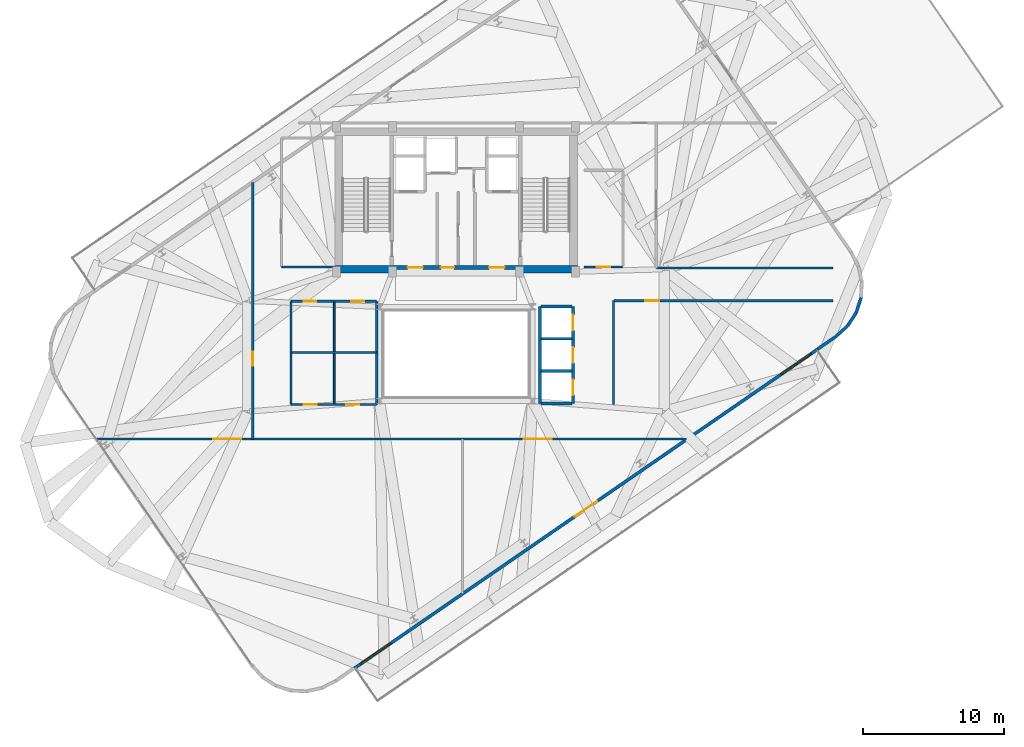
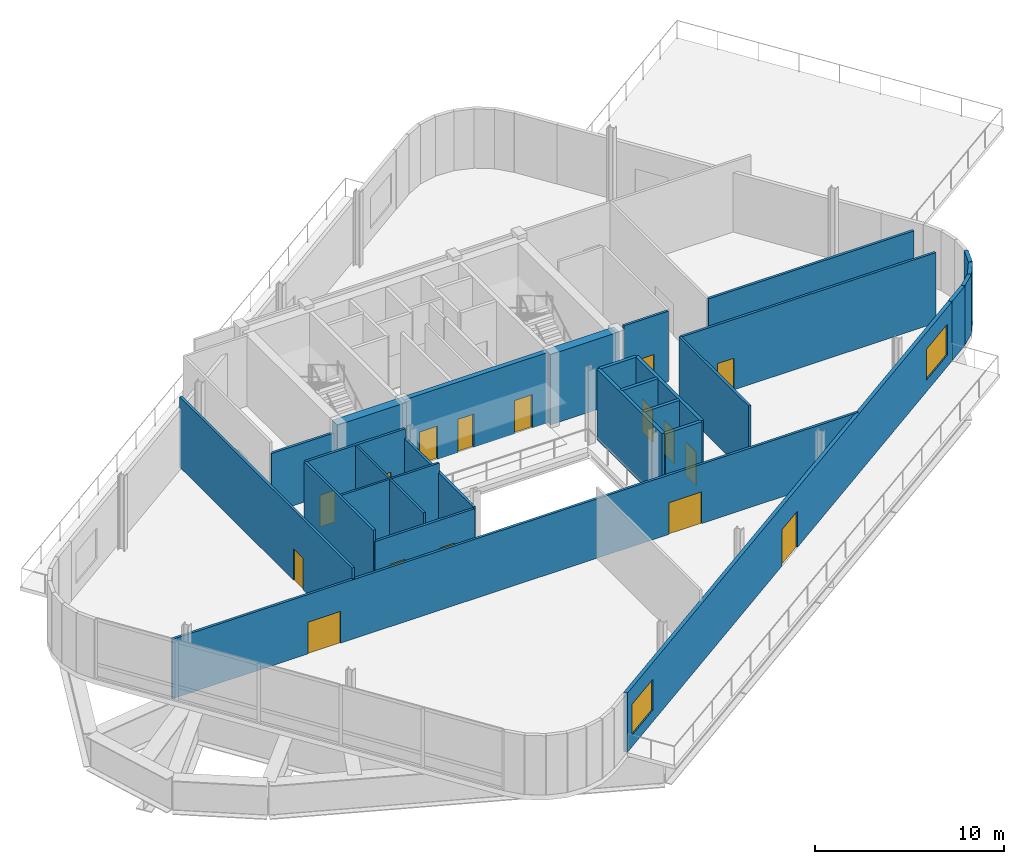
# One storey, part 11 of 18: 27 walls, 16 doors, 2 windows, 18 openings.
"""IFC4 building model written with IfcOpenShell, lengths in metres."""

from ifc_helpers import new_model, si_unit, direction, frame, frame_2d, origin, place, context, subcontext, project, spatial, rectangle, extrude, material, layer, layer_set, type_object, element, fill, save


model = new_model("IFC4")

# Units and contexts
model_context = context("Model", 3, precision=1e-05, world=origin(), true_north=direction((0.0, 1.0)))
body_context = subcontext(model_context, "Body", "Model", "MODEL_VIEW")
ifc_project = project(units=[si_unit("LENGTHUNIT", "METRE"), si_unit("AREAUNIT", "SQUARE_METRE"), si_unit("VOLUMEUNIT", "CUBIC_METRE"), si_unit("PLANEANGLEUNIT", "RADIAN"), si_unit("MASSUNIT", "GRAM", prefix="KILO")], contexts=[model_context])

# Site, building, storey
site_placement = place(None, origin())
site = spatial("IfcSite", under=ifc_project, at=site_placement, CompositionType="ELEMENT")
building_placement = place(site_placement, origin())
building = spatial("IfcBuilding", under=site, at=building_placement, Name="Varnelok Gate Tower", CompositionType="ELEMENT")
storey_placement = place(building_placement, frame((0.0, 0.0, 296.300048828125)))
storey = spatial("IfcBuildingStorey", under=building, at=storey_placement, Name="L76", CompositionType="ELEMENT", Elevation=296.300048828125)

# Wall, openings, door, windows
ifc_material_1 = material(Name="Concrete C45/55", Category="concrete")
ifc_layer_1 = layer(ifc_material_1, 0.219970703125)
ifc_layer_set_1 = layer_set([ifc_layer_1], Name="Concrete C45/55")
wall_type_1 = type_object("IfcWallType", Name="EW-BALC-220", PredefinedType="SOLIDWALL", material=ifc_layer_set_1)
wall_1_placement = place(storey_placement, frame((64.91162109375, 23.22998046875, 0.0), z_axis=(0.0, 0.0, 1.0), x_axis=(-0.823534403617, -0.567266327275, 0.0)))
wall_1 = element("IfcWall", 1, at=wall_1_placement, inside=storey, type_object=wall_type_1, Name="L76 South Terrace Envelope Wall 1", PredefinedType="SOLIDWALL", context=body_context, shape_type="SweptSolid", body=[
    extrude(rectangle(XDim=40.0, YDim=0.219970703125, at=frame_2d((20.0, 0.0))), origin(), (0.0, 0.0, 1.0), 3.829833984375),
])
opening_1_placement = place(wall_1_placement, frame((19.02490234375, 0.0, 0.0)))
opening_1 = element("IfcOpeningElement", 2, at=opening_1_placement, cuts=wall_1, Name="Opening LKD-1", PredefinedType="OPENING", context=body_context, shape_type="SweptSolid", body=[
    extrude(rectangle(XDim=1.949951171875, YDim=2.35009765625, at=frame_2d((0.97509765625, 1.175048828125))), frame((0.0, 0.119873046875, 0.0), z_axis=(0.0, -1.0, 0.0), x_axis=(1.0, 0.0, 0.0)), (0.0, 0.0, 1.0), 0.239990234375),
])
opening_2_placement = place(wall_1_placement, frame((0.550048828125, 0.0, 0.75)))
opening_2 = element("IfcOpeningElement", 3, at=opening_2_placement, cuts=wall_1, Name="Opening WN7", PredefinedType="OPENING", context=body_context, shape_type="SweptSolid", body=[
    extrude(rectangle(XDim=2.60009765625, YDim=2.0, at=frame_2d((1.300048828125, 1.0))), frame((0.0, 0.119873046875, 0.0), z_axis=(0.0, -1.0, 0.0), x_axis=(1.0, 0.0, 0.0)), (0.0, 0.0, 1.0), 0.239990234375),
])
opening_3_placement = place(wall_1_placement, frame((36.85009765625, 0.0, 0.75)))
opening_3 = element("IfcOpeningElement", 4, at=opening_3_placement, cuts=wall_1, Name="Opening WN7", PredefinedType="OPENING", context=body_context, shape_type="SweptSolid", body=[
    extrude(rectangle(XDim=2.60009765625, YDim=2.0, at=frame_2d((1.300048828125, 1.0))), frame((0.0, 0.119873046875, 0.0), z_axis=(0.0, -1.0, 0.0), x_axis=(1.0, 0.0, 0.0)), (0.0, 0.0, 1.0), 0.239990234375),
])
ifc_material_2 = material(Name="Anodized Aluminum Alloy 6063-T6", Category="aluminium")
door_type_1 = type_object("IfcDoorType", Name="DR-EXT-LOOK1950", OperationType="DOUBLE_DOOR_SINGLE_SWING", PredefinedType="DOOR", material=ifc_material_2)
door_1_placement = place(opening_1_placement, origin())
door_1 = element("IfcDoor", 5, at=door_1_placement, inside=storey, type_object=door_type_1, Name="L76 South Lookout Glazed Door 1", OperationType="DOUBLE_DOOR_SINGLE_SWING", OverallHeight=2.35009765625, OverallWidth=1.949951171875, PredefinedType="DOOR", context=body_context, shape_type="SweptSolid", body=[
    extrude(rectangle(XDim=1.949951171875, YDim=2.35009765625, at=frame_2d((0.97509765625, 1.175048828125))), frame((0.0, 0.02490234375, 0.0), z_axis=(0.0, -1.0, 0.0), x_axis=(1.0, 0.0, 0.0)), (0.0, 0.0, 1.0), 0.050048828125),
])
fill(opening_1, door_1)
ifc_material_3 = material(Name="Low-E Laminated Double Glazing IGU", Category="glass")
window_type = type_object("IfcWindowType", Name="WN-OBS-2600", PartitioningType="SINGLE_PANEL", PredefinedType="WINDOW", material=ifc_material_3)
window_1_placement = place(opening_2_placement, origin())
window_1 = element("IfcWindow", 6, at=window_1_placement, inside=storey, type_object=window_type, Name="L76 South Vision Window 1.1", OverallHeight=2.0, OverallWidth=2.60009765625, PartitioningType="SINGLE_PANEL", PredefinedType="WINDOW", context=body_context, shape_type="SweptSolid", body=[
    extrude(rectangle(XDim=2.60009765625, YDim=2.0, at=frame_2d((1.300048828125, 1.0))), frame((0.0, 0.030029296875, 0.0), z_axis=(0.0, -1.0, 0.0), x_axis=(1.0, 0.0, 0.0)), (0.0, 0.0, 1.0), 0.06005859375),
])
fill(opening_2, window_1)
window_2_placement = place(opening_3_placement, origin())
window_2 = element("IfcWindow", 7, at=window_2_placement, inside=storey, type_object=window_type, Name="L76 South Vision Window 1.2", OverallHeight=2.0, OverallWidth=2.60009765625, PartitioningType="SINGLE_PANEL", PredefinedType="WINDOW", context=body_context, shape_type="SweptSolid", body=[
    extrude(rectangle(XDim=2.60009765625, YDim=2.0, at=frame_2d((1.300048828125, 1.0))), frame((0.0, 0.030029296875, 0.0), z_axis=(0.0, -1.0, 0.0), x_axis=(1.0, 0.0, 0.0)), (0.0, 0.0, 1.0), 0.06005859375),
])
fill(opening_3, window_2)

# Walls
wall_2_placement = place(storey_placement, frame((64.90576171875, 23.23828125, 0.0), z_axis=(0.0, 0.0, 1.0), x_axis=(0.823509192795, 0.567302925589, 0.0)))
element("IfcWall", 8, at=wall_2_placement, inside=storey, type_object=wall_type_1, Name="L76 Perimeter Facade Closure Wall 8", PredefinedType="SOLIDWALL", context=body_context, shape_type="SweptSolid", body=[
    extrude(rectangle(XDim=1.59228515625, YDim=0.219970703125, at=frame_2d((0.796142578125, 0.0))), origin(), (0.0, 0.0, 1.0), 3.829833984375),
])
wall_3_placement = place(storey_placement, frame((66.235595703125, 24.158203125, 0.0), z_axis=(0.0, 0.0, 1.0), x_axis=(0.742465815116, 0.669883955163, 0.0)))
element("IfcWall", 9, at=wall_3_placement, inside=storey, type_object=wall_type_1, Name="L76 Perimeter Facade Closure Wall 9", PredefinedType="SOLIDWALL", context=body_context, shape_type="SweptSolid", body=[
    extrude(rectangle(XDim=1.099853515625, YDim=0.219970703125, at=frame_2d((0.5498046875, 0.0))), origin(), (0.0, 0.0, 1.0), 3.829833984375),
])
wall_4_placement = place(storey_placement, frame((67.06591796875, 24.916015625, 0.0), z_axis=(0.0, 0.0, 1.0), x_axis=(0.543714687717, 0.839270122405, 0.0)))
element("IfcWall", 10, at=wall_4_placement, inside=storey, type_object=wall_type_1, Name="L76 Perimeter Facade Closure Wall 10", PredefinedType="SOLIDWALL", context=body_context, shape_type="SweptSolid", body=[
    extrude(rectangle(XDim=1.092041015625, YDim=0.219970703125, at=frame_2d((0.5458984375, 0.0))), origin(), (0.0, 0.0, 1.0), 3.829833984375),
])
wall_5_placement = place(storey_placement, frame((67.667236328125, 25.856201171875, 0.0), z_axis=(0.0, 0.0, 1.0), x_axis=(0.30803453742, 0.951375175079, 0.0)))
element("IfcWall", 11, at=wall_5_placement, inside=storey, type_object=wall_type_1, Name="L76 Perimeter Facade Closure Wall 11", PredefinedType="SOLIDWALL", context=body_context, shape_type="SweptSolid", body=[
    extrude(rectangle(XDim=1.09228515625, YDim=0.219970703125, at=frame_2d((0.546142578125, 0.0))), origin(), (0.0, 0.0, 1.0), 3.829833984375),
])
ifc_material_4 = material(Name="Gypsum Plasterboard Acoustic Partition", Category="gypsum")
ifc_layer_2 = layer(ifc_material_4, 0.125)
ifc_layer_set_2 = layer_set([ifc_layer_2], Name="Gypsum Plasterboard Acoustic Partition")
wall_type_2 = type_object("IfcWallType", Name="PW-PART-125", PredefinedType="PARTITIONING", material=ifc_layer_set_2)
wall_6_placement = place(storey_placement, frame((30.550048828125, 19.3798828125, 0.0), z_axis=(0.0, 0.0, 1.0), x_axis=(0.0, 1.0, 0.0)))
element("IfcWall", 12, at=wall_6_placement, inside=storey, type_object=wall_type_2, Name="Interior Partition", PredefinedType="PARTITIONING", context=body_context, shape_type="SweptSolid", body=[
    extrude(rectangle(XDim=7.18017578125, YDim=0.125, at=frame_2d((3.590087890625, 0.0))), origin(), (0.0, 0.0, 1.0), 4.550048828125),
])
wall_7_placement = place(storey_placement, frame((27.52001953125, 23.0, 0.0), z_axis=(0.0, 0.0, 1.0), x_axis=(1.0, 0.0, 0.0)))
element("IfcWall", 13, at=wall_7_placement, inside=storey, type_object=wall_type_2, Name="Interior Partition", PredefinedType="PARTITIONING", context=body_context, shape_type="SweptSolid", body=[
    extrude(rectangle(XDim=6.0, YDim=0.125, at=frame_2d((3.0, 0.0))), origin(), (0.0, 0.0, 1.0), 4.550048828125),
])

# Wall, openings, doors
ifc_layer_3 = layer(ifc_material_4, 0.14990234375)
ifc_layer_set_3 = layer_set([ifc_layer_3], Name="Gypsum Plasterboard Acoustic Partition")
wall_type_3 = type_object("IfcWallType", Name="PW-PART-150", PredefinedType="PARTITIONING", material=ifc_layer_set_3)
wall_8_placement = place(storey_placement, frame((27.4599609375, 26.639892578125, 0.0), z_axis=(0.0, 0.0, 1.0), x_axis=(1.0, 0.0, 0.0)))
wall_8 = element("IfcWall", 14, at=wall_8_placement, inside=storey, type_object=wall_type_3, Name="Interior Partition", PredefinedType="PARTITIONING", context=body_context, shape_type="SweptSolid", body=[
    extrude(rectangle(XDim=6.10009765625, YDim=0.14990234375, at=frame_2d((3.050048828125, 0.0))), origin(), (0.0, 0.0, 1.0), 4.550048828125),
])
opening_4_placement = place(wall_8_placement, frame((0.89990234375, 0.0, 0.0)))
opening_4 = element("IfcOpeningElement", 15, at=opening_4_placement, cuts=wall_8, Name="Opening D-WC", PredefinedType="OPENING", context=body_context, shape_type="SweptSolid", body=[
    extrude(rectangle(XDim=0.89990234375, YDim=2.050048828125, at=frame_2d((0.449951171875, 1.02490234375))), frame((0.0, 0.0849609375, 0.0), z_axis=(0.0, -1.0, 0.0), x_axis=(1.0, 0.0, 0.0)), (0.0, 0.0, 1.0), 0.169921875),
])
opening_5_placement = place(wall_8_placement, frame((4.302978515625, 0.0, 0.0)))
opening_5 = element("IfcOpeningElement", 16, at=opening_5_placement, cuts=wall_8, Name="Opening D-WC", PredefinedType="OPENING", context=body_context, shape_type="SweptSolid", body=[
    extrude(rectangle(XDim=0.89990234375, YDim=2.050048828125, at=frame_2d((0.449951171875, 1.02490234375))), frame((0.0, 0.0849609375, 0.0), z_axis=(0.0, -1.0, 0.0), x_axis=(1.0, 0.0, 0.0)), (0.0, 0.0, 1.0), 0.169921875),
])
ifc_material_5 = material(Name="Engineered Hardwood Timber", Category="wood")
door_type_2 = type_object("IfcDoorType", Name="DR-BATH-900", OperationType="NOTDEFINED", PredefinedType="DOOR", material=ifc_material_5)
door_2_placement = place(opening_4_placement, origin())
door_2 = element("IfcDoor", 17, at=door_2_placement, inside=storey, type_object=door_type_2, Name="L76 Male WC Door", OperationType="SINGLE_SWING_LEFT", OverallHeight=2.050048828125, OverallWidth=0.89990234375, PredefinedType="DOOR", context=body_context, shape_type="SweptSolid", body=[
    extrude(rectangle(XDim=0.89990234375, YDim=2.050048828125, at=frame_2d((0.449951171875, 1.02490234375))), frame((0.0, 0.02490234375, 0.0), z_axis=(0.0, -1.0, 0.0), x_axis=(1.0, 0.0, 0.0)), (0.0, 0.0, 1.0), 0.050048828125),
])
fill(opening_4, door_2)
door_3_placement = place(opening_5_placement, origin())
door_3 = element("IfcDoor", 18, at=door_3_placement, inside=storey, type_object=door_type_2, Name="L76 Female WC Door", OperationType="SINGLE_SWING_RIGHT", OverallHeight=2.050048828125, OverallWidth=0.89990234375, PredefinedType="DOOR", context=body_context, shape_type="SweptSolid", body=[
    extrude(rectangle(XDim=0.89990234375, YDim=2.050048828125, at=frame_2d((0.449951171875, 1.02490234375))), frame((0.0, 0.02490234375, 0.0), z_axis=(0.0, -1.0, 0.0), x_axis=(1.0, 0.0, 0.0)), (0.0, 0.0, 1.0), 0.050048828125),
])
fill(opening_5, door_3)

wall_9_placement = place(storey_placement, frame((27.4599609375, 19.300048828125, 0.0), z_axis=(0.0, 0.0, 1.0), x_axis=(1.0, 0.0, 0.0)))
wall_9 = element("IfcWall", 19, at=wall_9_placement, inside=storey, type_object=wall_type_3, Name="Interior Partition", PredefinedType="PARTITIONING", context=body_context, shape_type="SweptSolid", body=[
    extrude(rectangle(XDim=6.10009765625, YDim=0.14990234375, at=frame_2d((3.050048828125, 0.0))), origin(), (0.0, 0.0, 1.0), 3.8388671875),
])
opening_6_placement = place(wall_9_placement, frame((0.89990234375, 0.0, 0.0)))
opening_6 = element("IfcOpeningElement", 20, at=opening_6_placement, cuts=wall_9, Name="Opening D-I3", PredefinedType="OPENING", context=body_context, shape_type="SweptSolid", body=[
    extrude(rectangle(XDim=0.919921875, YDim=2.050048828125, at=frame_2d((0.4599609375, 1.02490234375))), frame((0.0, 0.0849609375, 0.0), z_axis=(0.0, -1.0, 0.0), x_axis=(1.0, 0.0, 0.0)), (0.0, 0.0, 1.0), 0.169921875),
])
opening_7_placement = place(wall_9_placement, frame((3.949951171875, 0.0, 0.0)))
opening_7 = element("IfcOpeningElement", 21, at=opening_7_placement, cuts=wall_9, Name="Opening D-WC", PredefinedType="OPENING", context=body_context, shape_type="SweptSolid", body=[
    extrude(rectangle(XDim=0.89990234375, YDim=2.050048828125, at=frame_2d((0.449951171875, 1.02490234375))), frame((0.0, 0.0849609375, 0.0), z_axis=(0.0, -1.0, 0.0), x_axis=(1.0, 0.0, 0.0)), (0.0, 0.0, 1.0), 0.169921875),
])
door_4_placement = place(opening_7_placement, origin())
door_4 = element("IfcDoor", 22, at=door_4_placement, inside=storey, type_object=door_type_2, Name="L76 Accessible WC Door", OperationType="SINGLE_SWING_LEFT", OverallHeight=2.050048828125, OverallWidth=0.89990234375, PredefinedType="DOOR", context=body_context, shape_type="SweptSolid", body=[
    extrude(rectangle(XDim=0.89990234375, YDim=2.050048828125, at=frame_2d((0.449951171875, 1.02490234375))), frame((0.0, 0.02490234375, 0.0), z_axis=(0.0, -1.0, 0.0), x_axis=(1.0, 0.0, 0.0)), (0.0, 0.0, 1.0), 0.050048828125),
])
fill(opening_7, door_4)
door_type_3 = type_object("IfcDoorType", Name="DR-INT-920", OperationType="NOTDEFINED", PredefinedType="DOOR", material=ifc_material_5)
door_5_placement = place(opening_6_placement, origin())
door_5 = element("IfcDoor", 23, at=door_5_placement, inside=storey, type_object=door_type_3, Name="L76 Sky Pantry Door", OperationType="SINGLE_SWING_RIGHT", OverallHeight=2.050048828125, OverallWidth=0.919921875, PredefinedType="DOOR", context=body_context, shape_type="SweptSolid", body=[
    extrude(rectangle(XDim=0.919921875, YDim=2.050048828125, at=frame_2d((0.4599609375, 1.02490234375))), frame((0.0, 0.02490234375, 0.0), z_axis=(0.0, -1.0, 0.0), x_axis=(1.0, 0.0, 0.0)), (0.0, 0.0, 1.0), 0.050048828125),
])
fill(opening_6, door_5)

# Walls
wall_10_placement = place(storey_placement, frame((27.4599609375, 19.300048828125, 0.0), z_axis=(0.0, 0.0, 1.0), x_axis=(0.0, 1.0, 0.0)))
element("IfcWall", 24, at=wall_10_placement, inside=storey, type_object=wall_type_3, Name="Interior Partition", PredefinedType="PARTITIONING", context=body_context, shape_type="SweptSolid", body=[
    extrude(rectangle(XDim=7.33984375, YDim=0.14990234375, at=frame_2d((3.669921875, 0.0))), origin(), (0.0, 0.0, 1.0), 4.550048828125),
])
wall_11_placement = place(storey_placement, frame((33.56005859375, 19.300048828125, 0.0), z_axis=(0.0, 0.0, 1.0), x_axis=(0.0, 1.0, 0.0)))
element("IfcWall", 25, at=wall_11_placement, inside=storey, type_object=wall_type_3, Name="Interior Partition", PredefinedType="PARTITIONING", context=body_context, shape_type="SweptSolid", body=[
    extrude(rectangle(XDim=7.33984375, YDim=0.14990234375, at=frame_2d((3.669921875, 0.0))), origin(), (0.0, 0.0, 1.0), 3.924072265625),
])

# Wall, openings, doors
wall_12_placement = place(storey_placement, frame((13.6591796875, 16.85009765625, 0.0), z_axis=(0.0, 0.0, 1.0), x_axis=(1.0, 0.0, 0.0)))
wall_12 = element("IfcWall", 26, at=wall_12_placement, inside=storey, type_object=wall_type_3, Name="Interior Partition", PredefinedType="PARTITIONING", context=body_context, shape_type="SweptSolid", body=[
    extrude(rectangle(XDim=41.93701171875, YDim=0.14990234375, at=frame_2d((20.968505859375, 0.0))), origin(), (0.0, 0.0, 1.0), 3.8388671875),
])
opening_8_placement = place(wall_12_placement, frame((8.275390625, 0.0, 0.0)))
opening_8 = element("IfcOpeningElement", 27, at=opening_8_placement, cuts=wall_12, Name="Opening D-BL", PredefinedType="OPENING", context=body_context, shape_type="SweptSolid", body=[
    extrude(rectangle(XDim=2.0, YDim=2.050048828125, at=frame_2d((1.0, 1.02490234375))), frame((0.0, 0.0849609375, 0.0), z_axis=(0.0, -1.0, 0.0), x_axis=(1.0, 0.0, 0.0)), (0.0, 0.0, 1.0), 0.169921875),
])
opening_9_placement = place(wall_12_placement, frame((30.3408203125, 0.0, 0.0)))
opening_9 = element("IfcOpeningElement", 28, at=opening_9_placement, cuts=wall_12, Name="Opening D-BL", PredefinedType="OPENING", context=body_context, shape_type="SweptSolid", body=[
    extrude(rectangle(XDim=2.0, YDim=2.050048828125, at=frame_2d((1.0, 1.02490234375))), frame((0.0, 0.0849609375, 0.0), z_axis=(0.0, -1.0, 0.0), x_axis=(1.0, 0.0, 0.0)), (0.0, 0.0, 1.0), 0.169921875),
])
door_type_4 = type_object("IfcDoorType", Name="DR-BALL-2000", OperationType="DOUBLE_DOOR_SINGLE_SWING", PredefinedType="DOOR", material=ifc_material_5)
door_6_placement = place(opening_8_placement, origin())
door_6 = element("IfcDoor", 29, at=door_6_placement, inside=storey, type_object=door_type_4, Name="L76 Observation Gallery Portal", OperationType="DOUBLE_DOOR_SINGLE_SWING", OverallHeight=2.050048828125, OverallWidth=2.0, PredefinedType="DOOR", context=body_context, shape_type="SweptSolid", body=[
    extrude(rectangle(XDim=2.0, YDim=2.050048828125, at=frame_2d((1.0, 1.02490234375))), frame((0.0, 0.02490234375, 0.0), z_axis=(0.0, -1.0, 0.0), x_axis=(1.0, 0.0, 0.0)), (0.0, 0.0, 1.0), 0.050048828125),
])
fill(opening_8, door_6)
door_7_placement = place(opening_9_placement, origin())
door_7 = element("IfcDoor", 30, at=door_7_placement, inside=storey, type_object=door_type_4, Name="L76 Sky Cafe Entrance", OperationType="DOUBLE_DOOR_SINGLE_SWING", OverallHeight=2.050048828125, OverallWidth=2.0, PredefinedType="DOOR", context=body_context, shape_type="SweptSolid", body=[
    extrude(rectangle(XDim=2.0, YDim=2.050048828125, at=frame_2d((1.0, 1.02490234375))), frame((0.0, 0.02490234375, 0.0), z_axis=(0.0, -1.0, 0.0), x_axis=(1.0, 0.0, 0.0)), (0.0, 0.0, 1.0), 0.050048828125),
])
fill(opening_9, door_7)

# Wall, opening, door
wall_13_placement = place(storey_placement, frame((24.75, 16.85009765625, 0.0), z_axis=(0.0, 0.0, 1.0), x_axis=(0.0, 1.0, 0.0)))
wall_13 = element("IfcWall", 31, at=wall_13_placement, inside=storey, type_object=wall_type_3, Name="Interior Partition", PredefinedType="PARTITIONING", context=body_context, shape_type="SweptSolid", body=[
    extrude(rectangle(XDim=18.24072265625, YDim=0.14990234375, at=frame_2d((9.120361328125, 0.0))), origin(), (0.0, 0.0, 1.0), 4.550048828125),
])
opening_10_placement = place(wall_13_placement, frame((5.199951171875, 0.0, 0.0)))
opening_10 = element("IfcOpeningElement", 32, at=opening_10_placement, cuts=wall_13, Name="Opening D-I1", PredefinedType="OPENING", context=body_context, shape_type="SweptSolid", body=[
    extrude(rectangle(XDim=1.0, YDim=2.050048828125, at=frame_2d((0.5, 1.02490234375))), frame((0.0, 0.0849609375, 0.0), z_axis=(0.0, -1.0, 0.0), x_axis=(1.0, 0.0, 0.0)), (0.0, 0.0, 1.0), 0.169921875),
])
door_type_5 = type_object("IfcDoorType", Name="DR-INT-1000", OperationType="NOTDEFINED", PredefinedType="DOOR", material=ifc_material_5)
door_8_placement = place(opening_10_placement, origin())
door_8 = element("IfcDoor", 33, at=door_8_placement, inside=storey, type_object=door_type_5, Name="L76 Audio Desk Door", OperationType="SINGLE_SWING_LEFT", OverallHeight=2.050048828125, OverallWidth=1.0, PredefinedType="DOOR", context=body_context, shape_type="SweptSolid", body=[
    extrude(rectangle(XDim=1.0, YDim=2.050048828125, at=frame_2d((0.5, 1.02490234375))), frame((0.0, 0.02490234375, 0.0), z_axis=(0.0, -1.0, 0.0), x_axis=(1.0, 0.0, 0.0)), (0.0, 0.0, 1.0), 0.050048828125),
])
fill(opening_10, door_8)

# Wall
wall_14_placement = place(storey_placement, frame((53.43994140625, 29.0, 0.0), z_axis=(0.0, 0.0, 1.0), x_axis=(1.0, 0.0, 0.0)))
element("IfcWall", 34, at=wall_14_placement, inside=storey, type_object=wall_type_3, Name="Interior Partition", PredefinedType="PARTITIONING", context=body_context, shape_type="SweptSolid", body=[
    extrude(rectangle(XDim=12.56005859375, YDim=0.14990234375, at=frame_2d((6.280029296875, 0.0))), origin(), (0.0, 0.0, 1.0), 4.550048828125),
])

# Wall, opening, door
wall_15_placement = place(storey_placement, frame((50.449951171875, 26.679931640625, 0.0), z_axis=(0.0, 0.0, 1.0), x_axis=(1.0, 0.0, 0.0)))
wall_15 = element("IfcWall", 35, at=wall_15_placement, inside=storey, type_object=wall_type_3, Name="Interior Partition", PredefinedType="PARTITIONING", context=body_context, shape_type="SweptSolid", body=[
    extrude(rectangle(XDim=15.550048828125, YDim=0.14990234375, at=frame_2d((7.77490234375, 0.0))), origin(), (0.0, 0.0, 1.0), 4.550048828125),
])
opening_11_placement = place(wall_15_placement, frame((2.199951171875, 0.0, 0.0)))
opening_11 = element("IfcOpeningElement", 36, at=opening_11_placement, cuts=wall_15, Name="Opening D-I1", PredefinedType="OPENING", context=body_context, shape_type="SweptSolid", body=[
    extrude(rectangle(XDim=1.0, YDim=2.050048828125, at=frame_2d((0.5, 1.02490234375))), frame((0.0, 0.0849609375, 0.0), z_axis=(0.0, -1.0, 0.0), x_axis=(1.0, 0.0, 0.0)), (0.0, 0.0, 1.0), 0.169921875),
])
door_9_placement = place(opening_11_placement, origin())
door_9 = element("IfcDoor", 37, at=door_9_placement, inside=storey, type_object=door_type_5, Name="L76 Crown Sky Library Door", OperationType="SINGLE_SWING_LEFT", OverallHeight=2.050048828125, OverallWidth=1.0, PredefinedType="DOOR", context=body_context, shape_type="SweptSolid", body=[
    extrude(rectangle(XDim=1.0, YDim=2.050048828125, at=frame_2d((0.5, 1.02490234375))), frame((0.0, 0.02490234375, 0.0), z_axis=(0.0, -1.0, 0.0), x_axis=(1.0, 0.0, 0.0)), (0.0, 0.0, 1.0), 0.050048828125),
])
fill(opening_11, door_9)

# Walls
wall_16_placement = place(storey_placement, frame((50.39990234375, 19.300048828125, 0.0), z_axis=(0.0, 0.0, 1.0), x_axis=(0.0, 1.0, 0.0)))
element("IfcWall", 38, at=wall_16_placement, inside=storey, type_object=wall_type_3, Name="Interior Partition", PredefinedType="PARTITIONING", context=body_context, shape_type="SweptSolid", body=[
    extrude(rectangle(XDim=7.3798828125, YDim=0.14990234375, at=frame_2d((3.68994140625, 0.0))), origin(), (0.0, 0.0, 1.0), 4.550048828125),
])
wall_17_placement = place(storey_placement, frame((26.780029296875, 29.080078125, 0.0), z_axis=(0.0, 0.0, 1.0), x_axis=(1.0, 0.0, 0.0)))
element("IfcWall", 39, at=wall_17_placement, inside=storey, type_object=wall_type_3, Name="Interior Partition", PredefinedType="PARTITIONING", context=body_context, shape_type="SweptSolid", body=[
    extrude(rectangle(XDim=3.800048828125, YDim=0.14990234375, at=frame_2d((1.89990234375, 0.0))), origin(), (0.0, 0.0, 1.0), 3.8388671875),
])

# Wall, opening, door
wall_18_placement = place(storey_placement, frame((48.300048828125, 29.080078125, 0.0), z_axis=(0.0, 0.0, 1.0), x_axis=(1.0, 0.0, 0.0)))
wall_18 = element("IfcWall", 40, at=wall_18_placement, inside=storey, type_object=wall_type_3, Name="Interior Partition", PredefinedType="PARTITIONING", context=body_context, shape_type="SweptSolid", body=[
    extrude(rectangle(XDim=2.719970703125, YDim=0.14990234375, at=frame_2d((1.35986328125, 0.0))), origin(), (0.0, 0.0, 1.0), 4.550048828125),
])
opening_12_placement = place(wall_18_placement, frame((0.89990234375, 0.0, 0.0)))
opening_12 = element("IfcOpeningElement", 41, at=opening_12_placement, cuts=wall_18, Name="Opening D-I2", PredefinedType="OPENING", context=body_context, shape_type="SweptSolid", body=[
    extrude(rectangle(XDim=0.949951171875, YDim=2.050048828125, at=frame_2d((0.47509765625, 1.02490234375))), frame((0.0, 0.0849609375, 0.0), z_axis=(0.0, -1.0, 0.0), x_axis=(1.0, 0.0, 0.0)), (0.0, 0.0, 1.0), 0.169921875),
])
door_type_6 = type_object("IfcDoorType", Name="DR-INT-950", OperationType="NOTDEFINED", PredefinedType="DOOR", material=ifc_material_5)
door_10_placement = place(opening_12_placement, origin())
door_10 = element("IfcDoor", 42, at=door_10_placement, inside=storey, type_object=door_type_6, Name="L76 Reclaimed Trunk Store Door", OperationType="SINGLE_SWING_LEFT", OverallHeight=2.050048828125, OverallWidth=0.949951171875, PredefinedType="DOOR", context=body_context, shape_type="SweptSolid", body=[
    extrude(rectangle(XDim=0.949951171875, YDim=2.050048828125, at=frame_2d((0.47509765625, 1.02490234375))), frame((0.0, 0.02490234375, 0.0), z_axis=(0.0, -1.0, 0.0), x_axis=(1.0, 0.0, 0.0)), (0.0, 0.0, 1.0), 0.050048828125),
])
fill(opening_12, door_10)

# Walls
ifc_material_6 = material(Name="Concrete C35/45", Category="concrete")
ifc_layer_4 = layer(ifc_material_6, 0.199951171875)
ifc_layer_set_4 = layer_set([ifc_layer_4], Name="Concrete C35/45")
wall_type_4 = type_object("IfcWallType", Name="PW-SHAFT-200", PredefinedType="PARTITIONING", material=ifc_layer_set_4)
for number, where, z_axis, x_axis, name in (
    (43, (45.239990234375, 21.675048828125, 0.0), (0.0, 0.0, 1.0), (1.0, 0.0, 0.0), "L76 PH1 Divider"),
    (44, (45.239990234375, 23.97509765625, 0.0), (0.0, 0.0, 1.0), (1.0, 0.0, 0.0), "L76 PH2 Divider"),
    (45, (45.239990234375, 19.3798828125, 0.0), (0.0, 0.0, 1.0), (1.0, 0.0, 0.0), "L76 PH Bank South Wall"),
    (46, (45.239990234375, 26.280029296875, 0.0), (0.0, 0.0, 1.0), (1.0, 0.0, 0.0), "L76 PH Bank North Wall"),
):
    element("IfcWall", number, at=place(storey_placement, frame(where, z_axis=z_axis, x_axis=x_axis)), inside=storey, type_object=wall_type_4, Name=name, PredefinedType="PARTITIONING", context=body_context, shape_type="SweptSolid", body=[
        extrude(rectangle(XDim=2.219970703125, YDim=0.199951171875, at=frame_2d((1.10986328125, 0.0))), origin(), (0.0, 0.0, 1.0), 4.550048828125),
    ])
wall_19_placement = place(storey_placement, frame((45.179931640625, 19.3798828125, 0.0), z_axis=(0.0, 0.0, 1.0), x_axis=(0.0, 1.0, 0.0)))
element("IfcWall", 47, at=wall_19_placement, inside=storey, type_object=wall_type_4, Name="L76 PH Bank Atrium Wall", PredefinedType="PARTITIONING", context=body_context, shape_type="SweptSolid", body=[
    extrude(rectangle(XDim=6.900146484375, YDim=0.199951171875, at=frame_2d((3.4501953125, 0.0))), origin(), (0.0, 0.0, 1.0), 4.550048828125),
])

# Wall, openings, doors
wall_20_placement = place(storey_placement, frame((47.52001953125, 19.3798828125, 0.0), z_axis=(0.0, 0.0, 1.0), x_axis=(0.0, 1.0, 0.0)))
wall_20 = element("IfcWall", 48, at=wall_20_placement, inside=storey, type_object=wall_type_4, Name="L76 PH Bank Front Wall", PredefinedType="PARTITIONING", context=body_context, shape_type="SweptSolid", body=[
    extrude(rectangle(XDim=6.900146484375, YDim=0.199951171875, at=frame_2d((3.4501953125, 0.0))), origin(), (0.0, 0.0, 1.0), 4.550048828125),
])
opening_13_placement = place(wall_20_placement, frame((0.590087890625, 0.0, 0.0)))
opening_13 = element("IfcOpeningElement", 49, at=opening_13_placement, cuts=wall_20, Name="Opening LD-PH1", PredefinedType="OPENING", context=body_context, shape_type="SweptSolid", body=[
    extrude(rectangle(XDim=1.10009765625, YDim=2.14990234375, at=frame_2d((0.550048828125, 1.074951171875))), frame((0.0, 0.10986328125, 0.0), z_axis=(0.0, -1.0, 0.0), x_axis=(1.0, 0.0, 0.0)), (0.0, 0.0, 1.0), 0.219970703125),
])
opening_14_placement = place(wall_20_placement, frame((2.889892578125, 0.0, 0.0)))
opening_14 = element("IfcOpeningElement", 50, at=opening_14_placement, cuts=wall_20, Name="Opening LD-PH2", PredefinedType="OPENING", context=body_context, shape_type="SweptSolid", body=[
    extrude(rectangle(XDim=1.10009765625, YDim=2.14990234375, at=frame_2d((0.550048828125, 1.074951171875))), frame((0.0, 0.10986328125, 0.0), z_axis=(0.0, -1.0, 0.0), x_axis=(1.0, 0.0, 0.0)), (0.0, 0.0, 1.0), 0.219970703125),
])
opening_15_placement = place(wall_20_placement, frame((5.18994140625, 0.0, 0.0)))
opening_15 = element("IfcOpeningElement", 51, at=opening_15_placement, cuts=wall_20, Name="Opening LD-PH3", PredefinedType="OPENING", context=body_context, shape_type="SweptSolid", body=[
    extrude(rectangle(XDim=1.10009765625, YDim=2.14990234375, at=frame_2d((0.550048828125, 1.074951171875))), frame((0.0, 0.10986328125, 0.0), z_axis=(0.0, -1.0, 0.0), x_axis=(1.0, 0.0, 0.0)), (0.0, 0.0, 1.0), 0.219970703125),
])
ifc_material_7 = material(Name="Galvanized Steel Grade S350GD", Category="steel")
door_type_7 = type_object("IfcDoorType", Name="DR-LIFT-PAX1100", OperationType="SLIDING_TO_LEFT", PredefinedType="DOOR", material=ifc_material_7)
door_11_placement = place(opening_13_placement, origin())
door_11 = element("IfcDoor", 52, at=door_11_placement, inside=storey, type_object=door_type_7, Name="L76 Passenger Lift Landing Door LD-PH1", OperationType="SLIDING_TO_LEFT", OverallHeight=2.14990234375, OverallWidth=1.10009765625, PredefinedType="DOOR", context=body_context, shape_type="SweptSolid", body=[
    extrude(rectangle(XDim=1.10009765625, YDim=2.14990234375, at=frame_2d((0.550048828125, 1.074951171875))), frame((0.0, 0.02490234375, 0.0), z_axis=(0.0, -1.0, 0.0), x_axis=(1.0, 0.0, 0.0)), (0.0, 0.0, 1.0), 0.050048828125),
])
fill(opening_13, door_11)
door_12_placement = place(opening_14_placement, origin())
door_12 = element("IfcDoor", 53, at=door_12_placement, inside=storey, type_object=door_type_7, Name="L76 Passenger Lift Landing Door LD-PH2", OperationType="SLIDING_TO_LEFT", OverallHeight=2.14990234375, OverallWidth=1.10009765625, PredefinedType="DOOR", context=body_context, shape_type="SweptSolid", body=[
    extrude(rectangle(XDim=1.10009765625, YDim=2.14990234375, at=frame_2d((0.550048828125, 1.074951171875))), frame((0.0, 0.02490234375, 0.0), z_axis=(0.0, -1.0, 0.0), x_axis=(1.0, 0.0, 0.0)), (0.0, 0.0, 1.0), 0.050048828125),
])
fill(opening_14, door_12)
door_13_placement = place(opening_15_placement, origin())
door_13 = element("IfcDoor", 54, at=door_13_placement, inside=storey, type_object=door_type_7, Name="L76 Passenger Lift Landing Door LD-PH3", OperationType="SLIDING_TO_LEFT", OverallHeight=2.14990234375, OverallWidth=1.10009765625, PredefinedType="DOOR", context=body_context, shape_type="SweptSolid", body=[
    extrude(rectangle(XDim=1.10009765625, YDim=2.14990234375, at=frame_2d((0.550048828125, 1.074951171875))), frame((0.0, 0.02490234375, 0.0), z_axis=(0.0, -1.0, 0.0), x_axis=(1.0, 0.0, 0.0)), (0.0, 0.0, 1.0), 0.050048828125),
])
fill(opening_15, door_13)

# Walls
ifc_material_8 = material(Name="Concrete C60/75", Category="concrete")
ifc_layer_5 = layer(ifc_material_8, 0.550048828125)
ifc_layer_set_5 = layer_set([ifc_layer_5], Name="Concrete C60/75")
wall_type_5 = type_object("IfcWallType", Name="SW-CORE-550", PredefinedType="SHEAR", material=ifc_layer_set_5)
for number, where, z_axis, x_axis, name in (
    (55, (30.580078125, 28.925048828125, 0.0), (0.0, 0.0, 1.0), (1.0, 0.0, 0.0), "L76 Rear Core South-West Shear Wall"),
    (56, (43.60009765625, 28.925048828125, 0.0), (0.0, 0.0, 1.0), (1.0, 0.0, 0.0), "L76 Rear Core South-East Shear Wall"),
):
    element("IfcWall", number, at=place(storey_placement, frame(where, z_axis=z_axis, x_axis=x_axis)), inside=storey, type_object=wall_type_5, Name=name, PredefinedType="SHEAR", context=body_context, shape_type="SweptSolid", body=[
        extrude(rectangle(XDim=4.219970703125, YDim=0.550048828125, at=frame_2d((2.10986328125, 0.0))), origin(), (0.0, 0.0, 1.0), 4.550048828125),
    ])

# Wall, openings, doors
ifc_layer_6 = layer(ifc_material_8, 0.300048828125)
ifc_layer_set_6 = layer_set([ifc_layer_6], Name="Concrete C60/75")
wall_type_6 = type_object("IfcWallType", Name="SW-SHAFT-300", PredefinedType="SHEAR", material=ifc_layer_set_6)
wall_21_placement = place(storey_placement, frame((34.800048828125, 29.050048828125, 0.0), z_axis=(0.0, 0.0, 1.0), x_axis=(1.0, 0.0, 0.0)))
wall_21 = element("IfcWall", 57, at=wall_21_placement, inside=storey, type_object=wall_type_6, Name="L76 Rear Core Central Lobby Shear Wall", PredefinedType="SHEAR", context=body_context, shape_type="SweptSolid", body=[
    extrude(rectangle(XDim=8.800048828125, YDim=0.300048828125, at=frame_2d((4.39990234375, 0.0))), origin(), (0.0, 0.0, 1.0), 4.550048828125),
])
opening_16_placement = place(wall_21_placement, frame((0.949951171875, 0.0, 0.0)))
opening_16 = element("IfcOpeningElement", 58, at=opening_16_placement, cuts=wall_21, Name="Opening D-FF", PredefinedType="OPENING", context=body_context, shape_type="SweptSolid", body=[
    extrude(rectangle(XDim=1.10009765625, YDim=2.14990234375, at=frame_2d((0.550048828125, 1.074951171875))), frame((0.0, 0.159912109375, 0.0), z_axis=(0.0, -1.0, 0.0), x_axis=(1.0, 0.0, 0.0)), (0.0, 0.0, 1.0), 0.320068359375),
])
opening_17_placement = place(wall_21_placement, frame((6.75, 0.0, 0.0)))
opening_17 = element("IfcOpeningElement", 59, at=opening_17_placement, cuts=wall_21, Name="Opening D-FF", PredefinedType="OPENING", context=body_context, shape_type="SweptSolid", body=[
    extrude(rectangle(XDim=1.10009765625, YDim=2.14990234375, at=frame_2d((0.550048828125, 1.074951171875))), frame((0.0, 0.159912109375, 0.0), z_axis=(0.0, -1.0, 0.0), x_axis=(1.0, 0.0, 0.0)), (0.0, 0.0, 1.0), 0.320068359375),
])
opening_18_placement = place(wall_21_placement, frame((3.320068359375, 0.0, 0.0)))
opening_18 = element("IfcOpeningElement", 60, at=opening_18_placement, cuts=wall_21, Name="Opening D-CR", PredefinedType="OPENING", context=body_context, shape_type="SweptSolid", body=[
    extrude(rectangle(XDim=0.949951171875, YDim=2.14990234375, at=frame_2d((0.47509765625, 1.074951171875))), frame((0.0, 0.159912109375, 0.0), z_axis=(0.0, -1.0, 0.0), x_axis=(1.0, 0.0, 0.0)), (0.0, 0.0, 1.0), 0.320068359375),
])
door_type_8 = type_object("IfcDoorType", Name="DR-CORR-950", OperationType="NOTDEFINED", PredefinedType="DOOR", material=ifc_material_7)
door_14_placement = place(opening_18_placement, origin())
door_14 = element("IfcDoor", 61, at=door_14_placement, inside=storey, type_object=door_type_8, Name="L76 Core Service Passage Door", OperationType="SINGLE_SWING_LEFT", OverallHeight=2.14990234375, OverallWidth=0.949951171875, PredefinedType="DOOR", context=body_context, shape_type="SweptSolid", body=[
    extrude(rectangle(XDim=0.949951171875, YDim=2.14990234375, at=frame_2d((0.47509765625, 1.074951171875))), frame((0.0, 0.02490234375, 0.0), z_axis=(0.0, -1.0, 0.0), x_axis=(1.0, 0.0, 0.0)), (0.0, 0.0, 1.0), 0.050048828125),
])
fill(opening_18, door_14)
door_type_9 = type_object("IfcDoorType", Name="DR-FFLOB-1100", OperationType="NOTDEFINED", PredefinedType="DOOR", material=ifc_material_7)
door_15_placement = place(opening_16_placement, origin())
door_15 = element("IfcDoor", 62, at=door_15_placement, inside=storey, type_object=door_type_9, Name="L76 West Firefighting Lobby Fire Door", OperationType="SINGLE_SWING_RIGHT", OverallHeight=2.14990234375, OverallWidth=1.10009765625, PredefinedType="DOOR", context=body_context, shape_type="SweptSolid", body=[
    extrude(rectangle(XDim=1.10009765625, YDim=2.14990234375, at=frame_2d((0.550048828125, 1.074951171875))), frame((0.0, 0.02490234375, 0.0), z_axis=(0.0, -1.0, 0.0), x_axis=(1.0, 0.0, 0.0)), (0.0, 0.0, 1.0), 0.050048828125),
])
fill(opening_16, door_15)
door_16_placement = place(opening_17_placement, origin())
door_16 = element("IfcDoor", 63, at=door_16_placement, inside=storey, type_object=door_type_9, Name="L76 East Firefighting Lobby Fire Door", OperationType="SINGLE_SWING_LEFT", OverallHeight=2.14990234375, OverallWidth=1.10009765625, PredefinedType="DOOR", context=body_context, shape_type="SweptSolid", body=[
    extrude(rectangle(XDim=1.10009765625, YDim=2.14990234375, at=frame_2d((0.550048828125, 1.074951171875))), frame((0.0, 0.02490234375, 0.0), z_axis=(0.0, -1.0, 0.0), x_axis=(1.0, 0.0, 0.0)), (0.0, 0.0, 1.0), 0.050048828125),
])
fill(opening_17, door_16)

save(model, "model.ifc")
